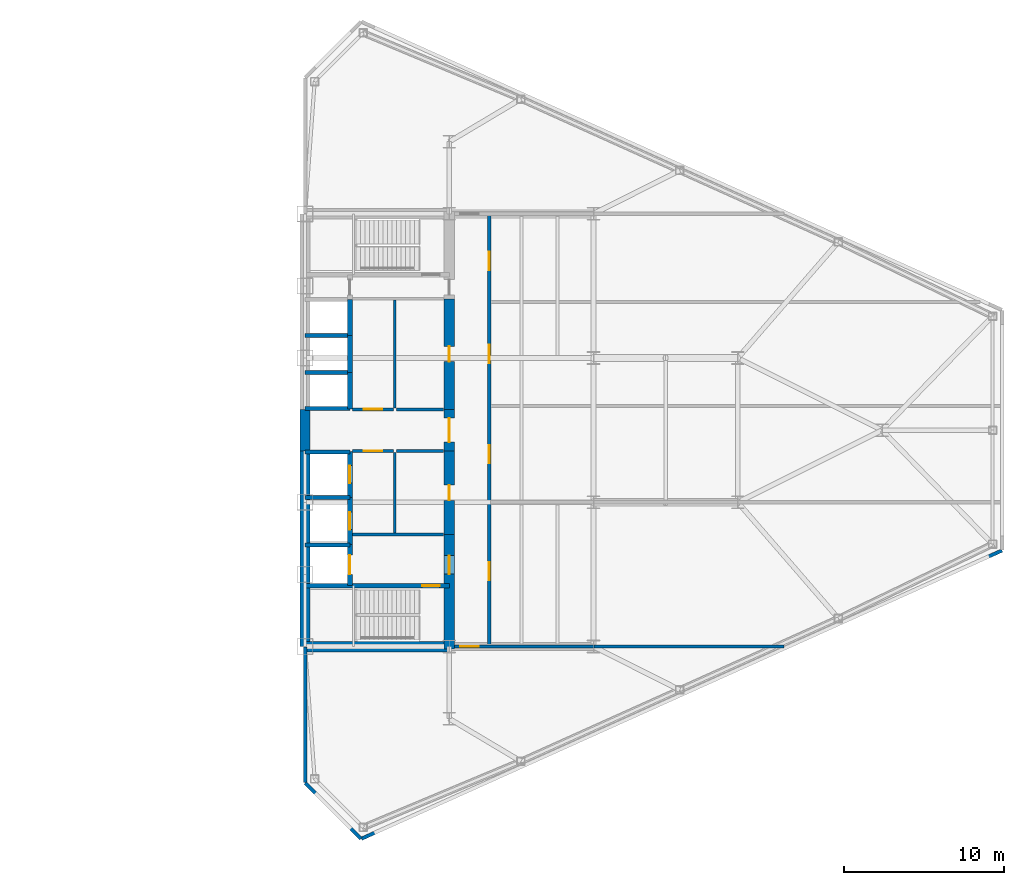
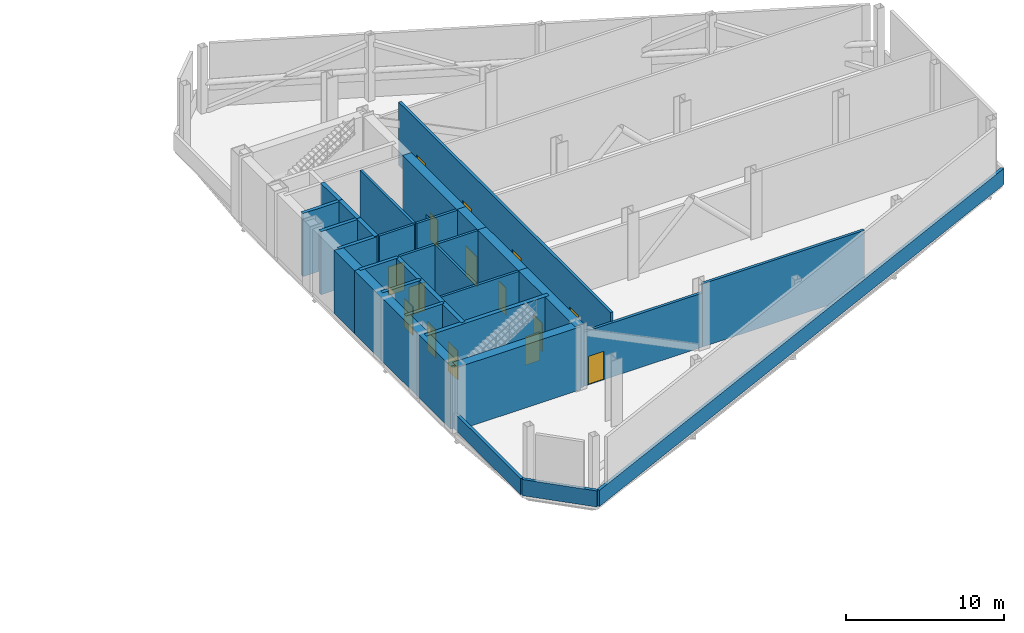
# One storey, part 8 of 11: 33 walls, 15 doors, 15 openings.
"""IFC4 building model written with IfcOpenShell, lengths in metres."""

import ifcopenshell
import ifcopenshell.guid

model = None  # the IFC model being written
_history = None  # IfcOwnerHistory: only IFC2X3 demands one
_inside = {}  # id of a spatial element -> (the spatial element, [elements in it])
_under = {}  # id of a project, library or spatial element -> (it, [spatial elements below it])
_declared = {}  # id of a project -> (the project, [libraries it declares])
_typed = {}  # id of a type object -> (the type object, [elements of that type])
_made_of = {}  # id of a material, layer set ... -> (it, [elements and type objects made of it])


def new_model(schema):
    """Start an empty IFC model of exactly this schema.

    Asked for "IFC4X3", IfcOpenShell would pick the latest addendum, in which some entities
    have other attributes; the version numbers below select the first issue.
    IFC2X3 requires an IfcOwnerHistory on every rooted entity: one is made here for all.
    """
    global model, _history
    if schema == "IFC4X3":
        model = ifcopenshell.file(schema_version=(4, 3, 0, 0))
    else:
        model = ifcopenshell.file(schema=schema)
    _inside.clear()
    _under.clear()
    _declared.clear()
    _typed.clear()
    _made_of.clear()
    _history = None
    if model.schema == "IFC2X3":
        org = make("IfcOrganization", Name="unknown")
        user = make(
            "IfcPersonAndOrganization",
            ThePerson=make("IfcPerson", FamilyName="unknown"),
            TheOrganization=org,
        )
        app = make(
            "IfcApplication",
            ApplicationDeveloper=org,
            Version="unknown",
            ApplicationFullName="unknown",
            ApplicationIdentifier="unknown",
        )
        _history = make(
            "IfcOwnerHistory",
            OwningUser=user,
            OwningApplication=app,
            ChangeAction="ADDED",
            CreationDate=0,
        )
    return model


def make(cls, **values):
    """One entity of the class cls with the attributes given. An attribute that is None is left unset."""
    return model.create_entity(
        cls, **{name: value for name, value in values.items() if value is not None}
    )


def rooted(cls, **values):
    """An entity with a GlobalId (a new one), such as an element, a storey or a relation."""
    return make(cls, GlobalId=ifcopenshell.guid.new(), OwnerHistory=_history, **values)


def si_unit(unit_type, name, prefix=None):
    """IfcSIUnit, for example si_unit("LENGTHUNIT", "METRE", prefix="MILLI")."""
    return make("IfcSIUnit", UnitType=unit_type, Prefix=prefix, Name=name)


def assignment(units):
    """IfcUnitAssignment: the units of a project."""
    return None if units is None else make("IfcUnitAssignment", Units=units)


def point(xyz):
    """IfcCartesianPoint."""
    return None if xyz is None else make("IfcCartesianPoint", Coordinates=xyz)


def direction(xyz):
    """IfcDirection."""
    return None if xyz is None else make("IfcDirection", DirectionRatios=xyz)


def frame(location, z_axis=None, x_axis=None):
    """IfcAxis2Placement3D, a coordinate frame: its origin and axes. An axis left out is left unset."""
    return make(
        "IfcAxis2Placement3D",
        Location=point(location),
        Axis=direction(z_axis),
        RefDirection=direction(x_axis),
    )


def frame_2d(location, x_axis=None):
    """IfcAxis2Placement2D, a coordinate frame in the plane: its origin and x axis."""
    return make(
        "IfcAxis2Placement2D", Location=point(location), RefDirection=direction(x_axis)
    )


def origin():
    """The frame at (0, 0, 0) with its axes left unset."""
    return frame((0.0, 0.0, 0.0))


def place(relative_to, where):
    """IfcLocalPlacement: puts the frame where relative to a parent placement (None: the world)."""
    return make(
        "IfcLocalPlacement", PlacementRelTo=relative_to, RelativePlacement=where
    )


def context(
    kind, dimensions, precision=None, world=None, true_north=None, identifier=None
):
    """IfcGeometricRepresentationContext, for example the 3D "Model" context."""
    return make(
        "IfcGeometricRepresentationContext",
        ContextIdentifier=identifier,
        ContextType=kind,
        CoordinateSpaceDimension=dimensions,
        Precision=precision,
        WorldCoordinateSystem=world,
        TrueNorth=true_north,
    )


def subcontext(parent, identifier, kind, view, scale=None):
    """IfcGeometricRepresentationSubContext, for example "Body" below "Model"."""
    return make(
        "IfcGeometricRepresentationSubContext",
        ContextIdentifier=identifier,
        ContextType=kind,
        ParentContext=parent,
        TargetScale=scale,
        TargetView=view,
    )


def project(units=None, contexts=None):
    """IfcProject with its units and contexts."""
    return rooted(
        "IfcProject",
        Name="project",
        RepresentationContexts=contexts,
        UnitsInContext=assignment(units),
    )


def spatial(cls, under=None, at=None, **own):
    """A site, building, storey or space (cls), placed at a placement, below another one or the project."""
    s = rooted(cls, ObjectPlacement=at, **own)
    if under is not None:
        _under.setdefault(under.id(), (under, []))[1].append(s)
    return s


def profile(cls, at=None, kind="AREA", **sizes):
    """A parametric profile (cls). Its sizes go by their IFC names, for example OverallWidth=200.0."""
    return make(cls, ProfileType=kind, Position=at, **sizes)


def rectangle(**sizes):
    """IfcRectangleProfileDef."""
    return profile("IfcRectangleProfileDef", **sizes)


def extrude(swept, where, along, depth):
    """IfcExtrudedAreaSolid: the profile swept, set in the frame where, extruded along a direction by depth."""
    return make(
        "IfcExtrudedAreaSolid",
        SweptArea=swept,
        Position=where,
        ExtrudedDirection=direction(along),
        Depth=depth,
    )


def shape(context_of_items, identifier, shape_type, items):
    """IfcShapeRepresentation: the items that make up one representation, for example the "Body"."""
    return make(
        "IfcShapeRepresentation",
        ContextOfItems=context_of_items,
        RepresentationIdentifier=identifier,
        RepresentationType=shape_type,
        Items=items,
    )


def source(mapping_origin, context_of_items, identifier, shape_type, items):
    """IfcRepresentationMap: a shape defined once, which mapped items show again and again."""
    return make(
        "IfcRepresentationMap",
        MappingOrigin=mapping_origin,
        MappedRepresentation=shape(context_of_items, identifier, shape_type, items),
    )


def transform(
    local_origin,
    x_axis=None,
    y_axis=None,
    z_axis=None,
    scale=None,
    scale2=None,
    scale3=None,
    uniform=True,
):
    """IfcCartesianTransformationOperator3D, or its non-uniform kind. x_axis, y_axis, z_axis: its Axis1, 2, 3."""
    if uniform:
        return make(
            "IfcCartesianTransformationOperator3D",
            Axis1=direction(x_axis),
            Axis2=direction(y_axis),
            LocalOrigin=point(local_origin),
            Scale=scale,
            Axis3=direction(z_axis),
        )
    return make(
        "IfcCartesianTransformationOperator3DnonUniform",
        Axis1=direction(x_axis),
        Axis2=direction(y_axis),
        LocalOrigin=point(local_origin),
        Scale=scale,
        Axis3=direction(z_axis),
        Scale2=scale2,
        Scale3=scale3,
    )


def mapped(mapping_source, mapping_target):
    """IfcMappedItem: shows the shape of a source again, moved by a transform."""
    return make(
        "IfcMappedItem", MappingSource=mapping_source, MappingTarget=mapping_target
    )


def material(Name=None, Category=None):
    """IfcMaterial."""
    return make("IfcMaterial", Name=Name, Category=Category)


def layer(
    of_material, thickness, ventilated=None, Name=None, Category=None, Priority=None
):
    """IfcMaterialLayer: one layer of a wall or slab, of a material (None: an air gap)."""
    return make(
        "IfcMaterialLayer",
        Material=of_material,
        LayerThickness=thickness,
        IsVentilated=ventilated,
        Name=Name,
        Category=Category,
        Priority=Priority,
    )


def layer_set(layers, Name=None):
    """IfcMaterialLayerSet."""
    return make("IfcMaterialLayerSet", MaterialLayers=layers, LayerSetName=Name)


def made_of(thing, what):
    """Note that an element or type object is made of a material, layer set ...; save() writes the relation."""
    if what is not None:
        _made_of.setdefault(what.id(), (what, []))[1].append(thing)
    return thing


def type_object(cls, material=None, **own):
    """A type object (cls), such as IfcWallType, which elements share."""
    return made_of(rooted(cls, **own), material)


def type_shapes(of_type, sources):
    """Give a type object the sources (RepresentationMaps) that its elements show as mapped items."""
    of_type.RepresentationMaps = sources


def element(
    cls,
    number,
    at=None,
    inside=None,
    cuts=None,
    type_object=None,
    material=None,
    context=None,
    identifier="Body",
    shape_type=None,
    held_by="IfcProductDefinitionShape",
    body=None,
    shapes=None,
    **own,
):
    """One element of the class cls, such as IfcWall. Its Tag is "e" and its number.

    at: its placement. inside: the storey or other place that contains it. cuts: it is an
    opening in that element (IfcRelVoidsElement). A single representation is given by context,
    identifier, shape_type and body (its items); several are given by shapes. held_by: the class
    of the entity that holds the representations. save() writes the other relations.
    """
    e = rooted(cls, Tag="e%d" % number, ObjectPlacement=at, **own)
    if body is not None:
        shapes = [shape(context, identifier, shape_type, body)]
    if shapes is not None:
        e.Representation = make(held_by, Representations=shapes)
    if inside is not None:
        _inside.setdefault(inside.id(), (inside, []))[1].append(e)
    if cuts is not None:
        rooted(
            "IfcRelVoidsElement", RelatingBuildingElement=cuts, RelatedOpeningElement=e
        )
    if type_object is not None:
        _typed.setdefault(type_object.id(), (type_object, []))[1].append(e)
    return made_of(e, material)


def fill(opening, filler):
    """IfcRelFillsElement: the door or window that sits in an opening."""
    return rooted(
        "IfcRelFillsElement",
        RelatingOpeningElement=opening,
        RelatedBuildingElement=filler,
    )


def aggregate(whole, parts):
    """IfcRelAggregates: a whole, such as a stair, and the parts it consists of."""
    return rooted("IfcRelAggregates", RelatingObject=whole, RelatedObjects=parts)


def save(model, path):
    """Write the relations noted so far, then the file.

    IfcRelAggregates (storeys below a building ...), IfcRelContainedInSpatialStructure (elements
    in a storey), IfcRelDefinesByType, IfcRelAssociatesMaterial and IfcRelDeclares: one each for
    every whole, place, type object, material and project.
    """
    for whole, parts in _under.values():
        aggregate(whole, parts)
    for where, things in _inside.values():
        rooted(
            "IfcRelContainedInSpatialStructure",
            RelatedElements=things,
            RelatingStructure=where,
        )
    for kind, things in _typed.values():
        rooted("IfcRelDefinesByType", RelatedObjects=things, RelatingType=kind)
    for what, things in _made_of.values():
        rooted("IfcRelAssociatesMaterial", RelatedObjects=things, RelatingMaterial=what)
    for by, libraries in _declared.values():
        rooted("IfcRelDeclares", RelatingContext=by, RelatedDefinitions=libraries)
    model.write(path)


model = new_model("IFC4")

# Units and contexts
model_context = context("Model", 3, precision=1e-05, world=origin(), true_north=direction((0.0, 1.0)))
body_context = subcontext(model_context, "Body", "Model", "MODEL_VIEW")
ifc_project = project(units=[si_unit("LENGTHUNIT", "METRE"), si_unit("AREAUNIT", "SQUARE_METRE"), si_unit("VOLUMEUNIT", "CUBIC_METRE"), si_unit("PLANEANGLEUNIT", "RADIAN"), si_unit("MASSUNIT", "GRAM", prefix="KILO")], contexts=[model_context])

# Site, building, storey
site_placement = place(None, origin())
site = spatial("IfcSite", under=ifc_project, at=site_placement, CompositionType="ELEMENT")
building_placement = place(site_placement, origin())
building = spatial("IfcBuilding", under=site, at=building_placement, Name="Seokmaru Belvedere", CompositionType="ELEMENT")
storey_placement = place(building_placement, frame((0.0, 0.0, 87.300048828125)))
storey = spatial("IfcBuildingStorey", under=building, at=storey_placement, Name="L23", CompositionType="ELEMENT", Elevation=87.300048828125)

# Walls
ifc_material_1 = material(Name="Fire-Rated Gypsum Shaftwall")
ifc_layer_1 = layer(ifc_material_1, 0.179931640625)
ifc_layer_set_1 = layer_set([ifc_layer_1], Name="Fire-Rated Gypsum Shaftwall")
wall_type_1 = type_object("IfcWallType", Name="Core Service Fire Partition 180", PredefinedType="PARTITIONING", material=ifc_layer_set_1)
wall_1_placement = place(storey_placement, frame((30.449951171875, -6.5, 0.0), z_axis=(0.0, 0.0, 1.0), x_axis=(1.0, 0.0, 0.0)))
element("IfcWall", 1, at=wall_1_placement, inside=storey, type_object=wall_type_1, Name="L23 East Firefighting Lobby Partition", PredefinedType="PARTITIONING", context=body_context, shape_type="SweptSolid", body=[
    extrude(rectangle(XDim=5.699951171875, YDim=0.179931640625, at=frame_2d((2.85009765625, 0.0))), origin(), (0.0, 0.0, 1.0), 4.8798828125),
])
wall_2_placement = place(storey_placement, frame((33.10009765625, -6.419921875, 0.0), z_axis=(0.0, 0.0, 1.0), x_axis=(0.0, 1.0, 0.0)))
element("IfcWall", 2, at=wall_2_placement, inside=storey, type_object=wall_type_1, Name="L23 East South Core Service Back Wall", PredefinedType="PARTITIONING", context=body_context, shape_type="SweptSolid", body=[
    extrude(rectangle(XDim=5.0400390625, YDim=0.179931640625, at=frame_2d((2.52001953125, 0.0))), origin(), (0.0, 0.0, 1.0), 4.8798828125),
])
wall_3_placement = place(storey_placement, frame((33.10009765625, 1.3798828125, 0.0), z_axis=(0.0, 0.0, 1.0), x_axis=(0.0, 1.0, 0.0)))
element("IfcWall", 3, at=wall_3_placement, inside=storey, type_object=wall_type_1, Name="L23 East North Core Service Back Wall", PredefinedType="PARTITIONING", context=body_context, shape_type="SweptSolid", body=[
    extrude(rectangle(XDim=6.740234375, YDim=0.179931640625, at=frame_2d((3.3701171875, 0.0))), origin(), (0.0, 0.0, 1.0), 4.8798828125),
])

# Wall, opening, door
wall_4_placement = place(storey_placement, frame((30.449951171875, -1.300048828125, 0.0), z_axis=(0.0, 0.0, 1.0), x_axis=(1.0, 0.0, 0.0)))
wall_4 = element("IfcWall", 4, at=wall_4_placement, inside=storey, type_object=wall_type_1, Name="L23 East South Lift Lobby Foyer Wall", PredefinedType="PARTITIONING", context=body_context, shape_type="SweptSolid", body=[
    extrude(rectangle(XDim=2.570068359375, YDim=0.179931640625, at=frame_2d((1.28515625, 0.0))), origin(), (0.0, 0.0, 1.0), 4.8798828125),
])
opening_1_placement = place(wall_4_placement, frame((0.7099609375, 0.0, 0.0)))
opening_1 = element("IfcOpeningElement", 5, at=opening_1_placement, cuts=wall_4, Name="Opening D02", PredefinedType="OPENING", context=body_context, shape_type="SweptSolid", body=[
    extrude(rectangle(XDim=1.14990234375, YDim=2.199951171875, at=frame_2d((0.574951171875, 1.10009765625))), frame((0.0, 0.10009765625, 0.0), z_axis=(0.0, -1.0, 0.0), x_axis=(1.0, 0.0, 0.0)), (0.0, 0.0, 1.0), 0.199951171875),
])
ifc_material_2 = material(Name="Fire-Rated Steel Leaf", Category="steel")
door_type_1 = type_object("IfcDoorType", Name="Lobby and Vestibule Fire Door 1150x2200", OperationType="NOTDEFINED", PredefinedType="DOOR", material=ifc_material_2)
shared_shape_1 = source(origin(), body_context, "Body", "SweptSolid", [
    extrude(rectangle(XDim=1.14990234375, YDim=2.199951171875, at=frame_2d((0.574951171875, 1.10009765625))), frame((0.0, 0.02490234375, 0.0), z_axis=(0.0, -1.0, 0.0), x_axis=(1.0, 0.0, 0.0)), (0.0, 0.0, 1.0), 0.050048828125),
])
type_shapes(door_type_1, [shared_shape_1])
door_1_placement = place(opening_1_placement, origin())
door_1 = element("IfcDoor", 6, at=door_1_placement, inside=storey, type_object=door_type_1, Name="L23 East South Core Foyer Door", OperationType="SINGLE_SWING_RIGHT", OverallHeight=2.199951171875, OverallWidth=1.14990234375, PredefinedType="DOOR", context=body_context, shape_type="MappedRepresentation", body=[
    mapped(shared_shape_1, transform((0.0, 0.0, 0.0), scale=1.0)),
])
fill(opening_1, door_1)

wall_5_placement = place(storey_placement, frame((30.449951171875, 1.300048828125, 0.0), z_axis=(0.0, 0.0, 1.0), x_axis=(1.0, 0.0, 0.0)))
wall_5 = element("IfcWall", 7, at=wall_5_placement, inside=storey, type_object=wall_type_1, Name="L23 East North Lift Lobby Foyer Wall", PredefinedType="PARTITIONING", context=body_context, shape_type="SweptSolid", body=[
    extrude(rectangle(XDim=2.570068359375, YDim=0.179931640625, at=frame_2d((1.28515625, 0.0))), origin(), (0.0, 0.0, 1.0), 4.8798828125),
])
opening_2_placement = place(wall_5_placement, frame((0.7099609375, 0.0, 0.0)))
opening_2 = element("IfcOpeningElement", 8, at=opening_2_placement, cuts=wall_5, Name="Opening D02", PredefinedType="OPENING", context=body_context, shape_type="SweptSolid", body=[
    extrude(rectangle(XDim=1.14990234375, YDim=2.199951171875, at=frame_2d((0.574951171875, 1.10009765625))), frame((0.0, 0.10009765625, 0.0), z_axis=(0.0, -1.0, 0.0), x_axis=(1.0, 0.0, 0.0)), (0.0, 0.0, 1.0), 0.199951171875),
])
door_2_placement = place(opening_2_placement, origin())
door_2 = element("IfcDoor", 9, at=door_2_placement, inside=storey, type_object=door_type_1, Name="L23 East North Lift Lobby Door", OperationType="SINGLE_SWING_LEFT", OverallHeight=2.199951171875, OverallWidth=1.14990234375, PredefinedType="DOOR", context=body_context, shape_type="MappedRepresentation", body=[
    mapped(shared_shape_1, transform((0.0, 0.0, 0.0), scale=1.0)),
])
fill(opening_2, door_2)

# Walls
for number, where, z_axis, x_axis, name in (
    (10, (33.199951171875, -1.300048828125, 0.0), (0.0, 0.0, 1.0), (1.0, 0.0, 0.0), "L23 East Foyer Side Wall S"),
    (11, (33.199951171875, 1.300048828125, 0.0), (0.0, 0.0, 1.0), (1.0, 0.0, 0.0), "L23 East Foyer Side Wall N"),
):
    element("IfcWall", number, at=place(storey_placement, frame(where, z_axis=z_axis, x_axis=x_axis)), inside=storey, type_object=wall_type_1, Name=name, PredefinedType="PARTITIONING", context=body_context, shape_type="SweptSolid", body=[
        extrude(rectangle(XDim=2.949951171875, YDim=0.179931640625, at=frame_2d((1.47509765625, 0.0))), origin(), (0.0, 0.0, 1.0), 4.8798828125),
    ])
ifc_material_3 = material(Name="Concrete C50 (50 MPa)", Category="concrete")
ifc_layer_2 = layer(ifc_material_3, 0.25)
ifc_layer_set_2 = layer_set([ifc_layer_2], Name="Concrete C50 (50 MPa)")
wall_type_2 = type_object("IfcWallType", Name="Hoistway Transverse Concrete Divider Wall 250", PredefinedType="SHEAR", material=ifc_layer_set_2)
for number, where, z_axis, x_axis, name in (
    (12, (27.5, -7.14990234375, 0.0), (0.0, 0.0, 1.0), (1.0, 0.0, 0.0), "L23 East Hoistway Divider Core Wall 1"),
    (13, (27.5, -4.199951171875, 0.0), (0.0, 0.0, 1.0), (1.0, 0.0, 0.0), "L23 East Hoistway Divider Core Wall 2"),
    (14, (27.5, -1.35009765625, 0.0), (0.0, 0.0, 1.0), (1.0, 0.0, 0.0), "L23 East Hoistway Divider Core Wall 3"),
    (15, (27.5, 1.35009765625, 0.0), (0.0, 0.0, 1.0), (1.0, 0.0, 0.0), "L23 East Hoistway Divider Core Wall 4"),
    (16, (27.5, 3.60009765625, 0.0), (0.0, 0.0, 1.0), (1.0, 0.0, 0.0), "L23 East Hoistway Divider Core Wall 5"),
    (17, (27.5, 5.89990234375, 0.0), (0.0, 0.0, 1.0), (1.0, 0.0, 0.0), "L23 East Hoistway Divider Core Wall 6"),
):
    element("IfcWall", number, at=place(storey_placement, frame(where, z_axis=z_axis, x_axis=x_axis)), inside=storey, type_object=wall_type_2, Name=name, PredefinedType="SHEAR", context=body_context, shape_type="SweptSolid", body=[
        extrude(rectangle(XDim=2.800048828125, YDim=0.25, at=frame_2d((1.39990234375, 0.0))), origin(), (0.0, 0.0, 1.0), 4.8798828125),
    ])

# Wall, opening, door
ifc_layer_3 = layer(ifc_material_1, 0.199951171875)
ifc_layer_set_3 = layer_set([ifc_layer_3], Name="Fire-Rated Gypsum Shaftwall")
wall_type_3 = type_object("IfcWallType", Name="Inter-Tenancy Fire Compartment Partition 200", PredefinedType="PARTITIONING", material=ifc_layer_set_3)
wall_6_placement = place(storey_placement, frame((36.830078125, -13.5, 0.0), z_axis=(0.0, 0.0, 1.0), x_axis=(1.0, 0.0, 0.0)))
wall_6 = element("IfcWall", 18, at=wall_6_placement, inside=storey, type_object=wall_type_3, Name="L23 Interior Partition 002", PredefinedType="PARTITIONING", context=body_context, shape_type="SweptSolid", body=[
    extrude(rectangle(XDim=8.68994140625, YDim=0.199951171875, at=frame_2d((4.344970703125, 0.0))), origin(), (0.0, 0.0, 1.0), 4.179931640625),
])
opening_3_placement = place(wall_6_placement, frame((0.344970703125, 0.0, 0.0)))
opening_3 = element("IfcOpeningElement", 19, at=opening_3_placement, cuts=wall_6, Name="Opening D02", PredefinedType="OPENING", context=body_context, shape_type="SweptSolid", body=[
    extrude(rectangle(XDim=1.14990234375, YDim=2.199951171875, at=frame_2d((0.574951171875, 1.10009765625))), frame((0.0, 0.10986328125, 0.0), z_axis=(0.0, -1.0, 0.0), x_axis=(1.0, 0.0, 0.0)), (0.0, 0.0, 1.0), 0.219970703125),
])
door_3_placement = place(opening_3_placement, origin())
door_3 = element("IfcDoor", 20, at=door_3_placement, inside=storey, type_object=door_type_1, Name="L23 Interior Door 007", OperationType="SINGLE_SWING_RIGHT", OverallHeight=2.199951171875, OverallWidth=1.14990234375, PredefinedType="DOOR", context=body_context, shape_type="MappedRepresentation", body=[
    mapped(shared_shape_1, transform((0.0, 0.0, 0.0), scale=1.0)),
])
fill(opening_3, door_3)

# Wall
wall_7_placement = place(storey_placement, frame((45.52001953125, -13.5, 0.0), z_axis=(0.0, 0.0, 1.0), x_axis=(1.0, 0.0, 0.0)))
element("IfcWall", 21, at=wall_7_placement, inside=storey, type_object=wall_type_3, Name="L23 Interior Partition 002 Part 2", PredefinedType="PARTITIONING", context=body_context, shape_type="SweptSolid", body=[
    extrude(rectangle(XDim=11.866455078125, YDim=0.199951171875, at=frame_2d((5.93310546875, 0.0))), origin(), (0.0, 0.0, 1.0), 4.8798828125),
])

# Wall, openings, doors
wall_8_placement = place(storey_placement, frame((39.0, -13.4150390625, 0.0), z_axis=(0.0, 0.0, 1.0), x_axis=(0.0, 1.0, 0.0)))
wall_8 = element("IfcWall", 22, at=wall_8_placement, inside=storey, type_object=wall_type_3, Name="L23 Interior Partition 012", PredefinedType="PARTITIONING", context=body_context, shape_type="SweptSolid", body=[
    extrude(rectangle(XDim=26.830078125, YDim=0.199951171875, at=frame_2d((13.4150390625, 0.0))), origin(), (0.0, 0.0, 1.0), 4.8798828125),
])
opening_4_placement = place(wall_8_placement, frame((4.0400390625, 0.0, 0.0)))
opening_4 = element("IfcOpeningElement", 23, at=opening_4_placement, cuts=wall_8, Name="Opening D02", PredefinedType="OPENING", context=body_context, shape_type="SweptSolid", body=[
    extrude(rectangle(XDim=1.14990234375, YDim=2.199951171875, at=frame_2d((0.574951171875, 1.10009765625))), frame((0.0, 0.10986328125, 0.0), z_axis=(0.0, -1.0, 0.0), x_axis=(1.0, 0.0, 0.0)), (0.0, 0.0, 1.0), 0.219970703125),
])
opening_5_placement = place(wall_8_placement, frame((11.340087890625, 0.0, 0.0)))
opening_5 = element("IfcOpeningElement", 24, at=opening_5_placement, cuts=wall_8, Name="Opening D02", PredefinedType="OPENING", context=body_context, shape_type="SweptSolid", body=[
    extrude(rectangle(XDim=1.14990234375, YDim=2.199951171875, at=frame_2d((0.574951171875, 1.10009765625))), frame((0.0, 0.10986328125, 0.0), z_axis=(0.0, -1.0, 0.0), x_axis=(1.0, 0.0, 0.0)), (0.0, 0.0, 1.0), 0.219970703125),
])
opening_6_placement = place(wall_8_placement, frame((17.590087890625, 0.0, 0.0)))
opening_6 = element("IfcOpeningElement", 25, at=opening_6_placement, cuts=wall_8, Name="Opening D02", PredefinedType="OPENING", context=body_context, shape_type="SweptSolid", body=[
    extrude(rectangle(XDim=1.14990234375, YDim=2.199951171875, at=frame_2d((0.574951171875, 1.10009765625))), frame((0.0, 0.10986328125, 0.0), z_axis=(0.0, -1.0, 0.0), x_axis=(1.0, 0.0, 0.0)), (0.0, 0.0, 1.0), 0.219970703125),
])
opening_7_placement = place(wall_8_placement, frame((23.389892578125, 0.0, 0.0)))
opening_7 = element("IfcOpeningElement", 26, at=opening_7_placement, cuts=wall_8, Name="Opening D02", PredefinedType="OPENING", context=body_context, shape_type="SweptSolid", body=[
    extrude(rectangle(XDim=1.14990234375, YDim=2.199951171875, at=frame_2d((0.574951171875, 1.10009765625))), frame((0.0, 0.10986328125, 0.0), z_axis=(0.0, -1.0, 0.0), x_axis=(1.0, 0.0, 0.0)), (0.0, 0.0, 1.0), 0.219970703125),
])
door_4_placement = place(opening_4_placement, origin())
door_4 = element("IfcDoor", 27, at=door_4_placement, inside=storey, type_object=door_type_1, Name="L23 Interior Door 009", OperationType="SINGLE_SWING_RIGHT", OverallHeight=2.199951171875, OverallWidth=1.14990234375, PredefinedType="DOOR", context=body_context, shape_type="MappedRepresentation", body=[
    mapped(shared_shape_1, transform((0.0, 0.0, 0.0), scale=1.0)),
])
fill(opening_4, door_4)
door_5_placement = place(opening_5_placement, origin())
door_5 = element("IfcDoor", 28, at=door_5_placement, inside=storey, type_object=door_type_1, Name="L23 Interior Door 010", OperationType="SINGLE_SWING_LEFT", OverallHeight=2.199951171875, OverallWidth=1.14990234375, PredefinedType="DOOR", context=body_context, shape_type="MappedRepresentation", body=[
    mapped(shared_shape_1, transform((0.0, 0.0, 0.0), scale=1.0)),
])
fill(opening_5, door_5)
door_6_placement = place(opening_6_placement, origin())
door_6 = element("IfcDoor", 29, at=door_6_placement, inside=storey, type_object=door_type_1, Name="L23 Interior Door 011", OperationType="SINGLE_SWING_RIGHT", OverallHeight=2.199951171875, OverallWidth=1.14990234375, PredefinedType="DOOR", context=body_context, shape_type="MappedRepresentation", body=[
    mapped(shared_shape_1, transform((0.0, 0.0, 0.0), scale=1.0)),
])
fill(opening_6, door_6)
door_7_placement = place(opening_7_placement, origin())
door_7 = element("IfcDoor", 30, at=door_7_placement, inside=storey, type_object=door_type_1, Name="L23 Interior Door 012", OperationType="SINGLE_SWING_LEFT", OverallHeight=2.199951171875, OverallWidth=1.14990234375, PredefinedType="DOOR", context=body_context, shape_type="MappedRepresentation", body=[
    mapped(shared_shape_1, transform((0.0, 0.0, 0.0), scale=1.0)),
])
fill(opening_7, door_7)

# Wall, opening, door
ifc_layer_4 = layer(ifc_material_3, 0.300048828125)
ifc_layer_set_4 = layer_set([ifc_layer_4], Name="Concrete C50 (50 MPa)")
wall_type_4 = type_object("IfcWallType", Name="Internal Core Stair and Hoistway Wall 300", PredefinedType="SHEAR", material=ifc_layer_set_4)
wall_9_placement = place(storey_placement, frame((27.5, -9.699951171875, 0.0), z_axis=(0.0, 0.0, 1.0), x_axis=(1.0, 0.0, 0.0)))
wall_9 = element("IfcWall", 31, at=wall_9_placement, inside=storey, type_object=wall_type_4, Name="L23 East Stair ST-1 Enclosure Wall", PredefinedType="SHEAR", context=body_context, shape_type="SweptSolid", body=[
    extrude(rectangle(XDim=9.0, YDim=0.300048828125, at=frame_2d((4.5, 0.0))), origin(), (0.0, 0.0, 1.0), 4.8798828125),
])
opening_8_placement = place(wall_9_placement, frame((7.300048828125, 0.0, 0.0)))
opening_8 = element("IfcOpeningElement", 32, at=opening_8_placement, cuts=wall_9, Name="Opening D01", PredefinedType="OPENING", context=body_context, shape_type="SweptSolid", body=[
    extrude(rectangle(XDim=1.10009765625, YDim=2.199951171875, at=frame_2d((0.550048828125, 1.10009765625))), frame((0.0, 0.16015625, 0.0), z_axis=(0.0, -1.0, 0.0), x_axis=(1.0, 0.0, 0.0)), (0.0, 0.0, 1.0), 0.320068359375),
])
door_type_2 = type_object("IfcDoorType", Name="Special Escape Stair Smokeproof Fire Door 1100x2200", OperationType="NOTDEFINED", PredefinedType="DOOR", material=ifc_material_2)
shared_shape_2 = source(origin(), body_context, "Body", "SweptSolid", [
    extrude(rectangle(XDim=1.10009765625, YDim=2.199951171875, at=frame_2d((0.550048828125, 1.10009765625))), frame((0.0, 0.02490234375, 0.0), z_axis=(0.0, -1.0, 0.0), x_axis=(1.0, 0.0, 0.0)), (0.0, 0.0, 1.0), 0.050048828125),
])
type_shapes(door_type_2, [shared_shape_2])
door_8_placement = place(opening_8_placement, frame((1.10009765625, 0.0, 0.0), z_axis=(0.0, 0.0, 1.0), x_axis=(-1.0, 0.0, 0.0)))
door_8 = element("IfcDoor", 33, at=door_8_placement, inside=storey, type_object=door_type_2, Name="L23 East Special Escape Stair ST-1 Door", OperationType="SINGLE_SWING_RIGHT", OverallHeight=2.199951171875, OverallWidth=1.10009765625, PredefinedType="DOOR", context=body_context, shape_type="MappedRepresentation", body=[
    mapped(shared_shape_2, transform((0.0, 0.0, 0.0), scale=1.0)),
])
fill(opening_8, door_8)

wall_10_placement = place(storey_placement, frame((30.300048828125, -9.679931640625, 0.0), z_axis=(0.0, 0.0, 1.0), x_axis=(0.0, 1.0, 0.0)))
wall_10 = element("IfcWall", 34, at=wall_10_placement, inside=storey, type_object=wall_type_4, Name="L23 East Firefighting Lift Shaft Front Wall", PredefinedType="SHEAR", context=body_context, shape_type="SweptSolid", body=[
    extrude(rectangle(XDim=2.559814453125, YDim=0.300048828125, at=frame_2d((1.27978515625, 0.0))), origin(), (0.0, 0.0, 1.0), 4.8798828125),
])
opening_9_placement = place(wall_10_placement, frame((0.679931640625, 0.0, 0.0)))
opening_9 = element("IfcOpeningElement", 35, at=opening_9_placement, cuts=wall_10, Name="Opening LD2", PredefinedType="OPENING", context=body_context, shape_type="SweptSolid", body=[
    extrude(rectangle(XDim=1.199951171875, YDim=2.25, at=frame_2d((0.60009765625, 1.125))), frame((0.0, 0.16015625, 0.0), z_axis=(0.0, -1.0, 0.0), x_axis=(1.0, 0.0, 0.0)), (0.0, 0.0, 1.0), 0.320068359375),
])
ifc_material_4 = material(Name="Stainless Steel 316", Category="steel")
door_type_3 = type_object("IfcDoorType", Name="Firefighting Lift Sliding Landing Door 1200x2250", OperationType="DOUBLE_DOOR_SLIDING", PredefinedType="DOOR", material=ifc_material_4)
shared_shape_3 = source(origin(), body_context, "Body", "SweptSolid", [
    extrude(rectangle(XDim=1.199951171875, YDim=2.25, at=frame_2d((0.60009765625, 1.125))), frame((0.0, 0.02490234375, 0.0), z_axis=(0.0, -1.0, 0.0), x_axis=(1.0, 0.0, 0.0)), (0.0, 0.0, 1.0), 0.050048828125),
])
type_shapes(door_type_3, [shared_shape_3])
door_9_placement = place(opening_9_placement, origin())
door_9 = element("IfcDoor", 36, at=door_9_placement, inside=storey, type_object=door_type_3, Name="L23 East Firefighting Lift Landing Door", OperationType="DOUBLE_DOOR_SLIDING", OverallHeight=2.25, OverallWidth=1.199951171875, PredefinedType="DOOR", context=body_context, shape_type="MappedRepresentation", body=[
    mapped(shared_shape_3, transform((0.0, 0.0, 0.0), scale=1.0)),
])
fill(opening_9, door_9)

wall_11_placement = place(storey_placement, frame((30.300048828125, -7.1201171875, 0.0), z_axis=(0.0, 0.0, 1.0), x_axis=(0.0, 1.0, 0.0)))
wall_11 = element("IfcWall", 37, at=wall_11_placement, inside=storey, type_object=wall_type_4, Name="L23 East Low-Rise Lift PL-1 Front Wall", PredefinedType="SHEAR", context=body_context, shape_type="SweptSolid", body=[
    extrude(rectangle(XDim=2.920166015625, YDim=0.300048828125, at=frame_2d((1.4599609375, 0.0))), origin(), (0.0, 0.0, 1.0), 4.8798828125),
])
opening_10_placement = place(wall_11_placement, frame((0.909912109375, 0.0, 0.0)))
opening_10 = element("IfcOpeningElement", 38, at=opening_10_placement, cuts=wall_11, Name="Opening LD1", PredefinedType="OPENING", context=body_context, shape_type="SweptSolid", body=[
    extrude(rectangle(XDim=1.10009765625, YDim=2.199951171875, at=frame_2d((0.550048828125, 1.10009765625))), frame((0.0, 0.16015625, 0.0), z_axis=(0.0, -1.0, 0.0), x_axis=(1.0, 0.0, 0.0)), (0.0, 0.0, 1.0), 0.320068359375),
])
door_type_4 = type_object("IfcDoorType", Name="Passenger Lift Sliding Landing Door 1100x2200", OperationType="DOUBLE_DOOR_SLIDING", PredefinedType="DOOR", material=ifc_material_4)
shared_shape_4 = source(origin(), body_context, "Body", "SweptSolid", [
    extrude(rectangle(XDim=1.10009765625, YDim=2.199951171875, at=frame_2d((0.550048828125, 1.10009765625))), frame((0.0, 0.02490234375, 0.0), z_axis=(0.0, -1.0, 0.0), x_axis=(1.0, 0.0, 0.0)), (0.0, 0.0, 1.0), 0.050048828125),
])
type_shapes(door_type_4, [shared_shape_4])
door_10_placement = place(opening_10_placement, origin())
door_10 = element("IfcDoor", 39, at=door_10_placement, inside=storey, type_object=door_type_4, Name="L23 East Low-Rise Lift PL-1 Landing Door", OperationType="DOUBLE_DOOR_SLIDING", OverallHeight=2.199951171875, OverallWidth=1.10009765625, PredefinedType="DOOR", context=body_context, shape_type="MappedRepresentation", body=[
    mapped(shared_shape_4, transform((0.0, 0.0, 0.0), scale=1.0)),
])
fill(opening_10, door_10)

wall_12_placement = place(storey_placement, frame((30.300048828125, -4.199951171875, 0.0), z_axis=(0.0, 0.0, 1.0), x_axis=(0.0, 1.0, 0.0)))
wall_12 = element("IfcWall", 40, at=wall_12_placement, inside=storey, type_object=wall_type_4, Name="L23 East Low-Rise Lift PL-2 Front Wall", PredefinedType="SHEAR", context=body_context, shape_type="SweptSolid", body=[
    extrude(rectangle(XDim=2.8798828125, YDim=0.300048828125, at=frame_2d((1.43994140625, 0.0))), origin(), (0.0, 0.0, 1.0), 4.8798828125),
])
opening_11_placement = place(wall_12_placement, frame((0.889892578125, 0.0, 0.0)))
opening_11 = element("IfcOpeningElement", 41, at=opening_11_placement, cuts=wall_12, Name="Opening LD1", PredefinedType="OPENING", context=body_context, shape_type="SweptSolid", body=[
    extrude(rectangle(XDim=1.10009765625, YDim=2.199951171875, at=frame_2d((0.550048828125, 1.10009765625))), frame((0.0, 0.16015625, 0.0), z_axis=(0.0, -1.0, 0.0), x_axis=(1.0, 0.0, 0.0)), (0.0, 0.0, 1.0), 0.320068359375),
])
door_11_placement = place(opening_11_placement, origin())
door_11 = element("IfcDoor", 42, at=door_11_placement, inside=storey, type_object=door_type_4, Name="L23 East Low-Rise Lift PL-2 Landing Door", OperationType="DOUBLE_DOOR_SLIDING", OverallHeight=2.199951171875, OverallWidth=1.10009765625, PredefinedType="DOOR", context=body_context, shape_type="MappedRepresentation", body=[
    mapped(shared_shape_4, transform((0.0, 0.0, 0.0), scale=1.0)),
])
fill(opening_11, door_11)

# Walls
wall_13_placement = place(storey_placement, frame((30.300048828125, 1.320068359375, 0.0), z_axis=(0.0, 0.0, 1.0), x_axis=(0.0, 1.0, 0.0)))
element("IfcWall", 43, at=wall_13_placement, inside=storey, type_object=wall_type_4, Name="L23 East North Hoistway Wall PH1", PredefinedType="SHEAR", context=body_context, shape_type="SweptSolid", body=[
    extrude(rectangle(XDim=2.280029296875, YDim=0.300048828125, at=frame_2d((1.14013671875, 0.0))), origin(), (0.0, 0.0, 1.0), 4.8798828125),
])
wall_14_placement = place(storey_placement, frame((30.300048828125, 3.60009765625, 0.0), z_axis=(0.0, 0.0, 1.0), x_axis=(0.0, 1.0, 0.0)))
element("IfcWall", 44, at=wall_14_placement, inside=storey, type_object=wall_type_4, Name="L23 East North Hoistway Wall PH2", PredefinedType="SHEAR", context=body_context, shape_type="SweptSolid", body=[
    extrude(rectangle(XDim=2.2998046875, YDim=0.300048828125, at=frame_2d((1.14990234375, 0.0))), origin(), (0.0, 0.0, 1.0), 4.8798828125),
])
wall_15_placement = place(storey_placement, frame((30.300048828125, 5.89990234375, 0.0), z_axis=(0.0, 0.0, 1.0), x_axis=(0.0, 1.0, 0.0)))
element("IfcWall", 45, at=wall_15_placement, inside=storey, type_object=wall_type_4, Name="L23 East North Hoistway Wall OBS", PredefinedType="SHEAR", context=body_context, shape_type="SweptSolid", body=[
    extrude(rectangle(XDim=2.25, YDim=0.300048828125, at=frame_2d((1.125, 0.0))), origin(), (0.0, 0.0, 1.0), 4.8798828125),
])
ifc_material_5 = material(Name="Concrete C60 (60 MPa)", Category="concrete")
ifc_layer_5 = layer(ifc_material_5, 0.64990234375)
ifc_layer_set_5 = layer_set([ifc_layer_5], Name="Concrete C60 (60 MPa)")
wall_type_5 = type_object("IfcWallType", Name="Mid-Low Reinforced Concrete Core Wall 650", PredefinedType="SHEAR", material=ifc_layer_set_5)
wall_16_placement = place(storey_placement, frame((27.5, -13.5, 0.0), z_axis=(0.0, 0.0, 1.0), x_axis=(0.0, 1.0, 0.0)))
element("IfcWall", 46, at=wall_16_placement, inside=storey, type_object=wall_type_5, Name="L23 East Portal Spine Core Wall South", PredefinedType="SHEAR", context=body_context, shape_type="SweptSolid", body=[
    extrude(rectangle(XDim=12.199951171875, YDim=0.64990234375, at=frame_2d((6.10009765625, 0.0))), origin(), (0.0, 0.0, 1.0), 4.8798828125),
])
wall_17_placement = place(storey_placement, frame((27.5, -1.300048828125, 0.0), z_axis=(0.0, 0.0, 1.0), x_axis=(0.0, 1.0, 0.0)))
element("IfcWall", 47, at=wall_17_placement, inside=storey, type_object=wall_type_5, Name="L23 East Portal Spine Core Wall Center", PredefinedType="SHEAR", context=body_context, shape_type="SweptSolid", body=[
    extrude(rectangle(XDim=2.60009765625, YDim=0.64990234375, at=frame_2d((1.300048828125, 0.0))), origin(), (0.0, 0.0, 1.0), 4.8798828125),
])
wall_18_placement = place(storey_placement, frame((27.5, -13.5, 0.0), z_axis=(0.0, 0.0, 1.0), x_axis=(1.0, 0.0, 0.0)))
element("IfcWall", 48, at=wall_18_placement, inside=storey, type_object=wall_type_5, Name="L23 East South Core Wall", PredefinedType="SHEAR", context=body_context, shape_type="SweptSolid", body=[
    extrude(rectangle(XDim=9.0, YDim=0.64990234375, at=frame_2d((4.5, 0.0))), origin(), (0.0, 0.0, 1.0), 4.8798828125),
])

# Wall, opening, door
wall_19_placement = place(storey_placement, frame((36.5, -13.64990234375, 0.0), z_axis=(0.0, 0.0, 1.0), x_axis=(0.0, 1.0, 0.0)))
wall_19 = element("IfcWall", 49, at=wall_19_placement, inside=storey, type_object=wall_type_5, Name="L23 East West Core Wall FF", PredefinedType="SHEAR", context=body_context, shape_type="SweptSolid", body=[
    extrude(rectangle(XDim=7.14990234375, YDim=0.64990234375, at=frame_2d((3.574951171875, 0.0))), origin(), (0.0, 0.0, 1.0), 4.8798828125),
])
opening_12_placement = place(wall_19_placement, frame((4.675048828125, 0.0, 0.0)))
opening_12 = element("IfcOpeningElement", 50, at=opening_12_placement, cuts=wall_19, Name="Opening D02", PredefinedType="OPENING", context=body_context, shape_type="SweptSolid", body=[
    extrude(rectangle(XDim=1.14990234375, YDim=2.199951171875, at=frame_2d((0.574951171875, 1.10009765625))), frame((0.0, 0.3349609375, 0.0), z_axis=(0.0, -1.0, 0.0), x_axis=(1.0, 0.0, 0.0)), (0.0, 0.0, 1.0), 0.669921875),
])
door_12_placement = place(opening_12_placement, origin())
door_12 = element("IfcDoor", 51, at=door_12_placement, inside=storey, type_object=door_type_1, Name="L23 East Firefighting Lobby Door", OperationType="SINGLE_SWING_RIGHT", OverallHeight=2.199951171875, OverallWidth=1.14990234375, PredefinedType="DOOR", context=body_context, shape_type="MappedRepresentation", body=[
    mapped(shared_shape_1, transform((0.0, 0.0, 0.0), scale=1.0)),
])
fill(opening_12, door_12)

wall_20_placement = place(storey_placement, frame((36.5, -1.300048828125, 0.0), z_axis=(0.0, 0.0, 1.0), x_axis=(0.0, 1.0, 0.0)))
wall_20 = element("IfcWall", 52, at=wall_20_placement, inside=storey, type_object=wall_type_5, Name="L23 East West Core Wall FOY", PredefinedType="SHEAR", context=body_context, shape_type="SweptSolid", body=[
    extrude(rectangle(XDim=2.60009765625, YDim=0.64990234375, at=frame_2d((1.300048828125, 0.0))), origin(), (0.0, 0.0, 1.0), 4.8798828125),
])
opening_13_placement = place(wall_20_placement, frame((0.550048828125, 0.0, 0.0)))
opening_13 = element("IfcOpeningElement", 53, at=opening_13_placement, cuts=wall_20, Name="Opening D08", PredefinedType="OPENING", context=body_context, shape_type="SweptSolid", body=[
    extrude(rectangle(XDim=1.5, YDim=2.300048828125, at=frame_2d((0.75, 1.14990234375))), frame((0.0, 0.3349609375, 0.0), z_axis=(0.0, -1.0, 0.0), x_axis=(1.0, 0.0, 0.0)), (0.0, 0.0, 1.0), 0.669921875),
])
door_type_5 = type_object("IfcDoorType", Name="Cross-Corridor Compartment Double Fire Door 1500x2300", OperationType="DOUBLE_SWING_LEFT", PredefinedType="DOOR", material=ifc_material_2)
shared_shape_5 = source(origin(), body_context, "Body", "SweptSolid", [
    extrude(rectangle(XDim=1.5, YDim=2.300048828125, at=frame_2d((0.75, 1.14990234375))), frame((0.0, 0.02490234375, 0.0), z_axis=(0.0, -1.0, 0.0), x_axis=(1.0, 0.0, 0.0)), (0.0, 0.0, 1.0), 0.050048828125),
])
type_shapes(door_type_5, [shared_shape_5])
door_13_placement = place(opening_13_placement, origin())
door_13 = element("IfcDoor", 54, at=door_13_placement, inside=storey, type_object=door_type_5, Name="L23 East Core Foyer Compartment Door", OperationType="DOUBLE_SWING_LEFT", OverallHeight=2.300048828125, OverallWidth=1.5, PredefinedType="DOOR", context=body_context, shape_type="MappedRepresentation", body=[
    mapped(shared_shape_5, transform((0.0, 0.0, 0.0), scale=1.0)),
])
fill(opening_13, door_13)

wall_21_placement = place(storey_placement, frame((36.5, -6.5, 0.0), z_axis=(0.0, 0.0, 1.0), x_axis=(0.0, 1.0, 0.0)))
wall_21 = element("IfcWall", 55, at=wall_21_placement, inside=storey, type_object=wall_type_5, Name="L23 East West Core Wall CS1", PredefinedType="SHEAR", context=body_context, shape_type="SweptSolid", body=[
    extrude(rectangle(XDim=5.199951171875, YDim=0.64990234375, at=frame_2d((2.60009765625, 0.0))), origin(), (0.0, 0.0, 1.0), 4.8798828125),
])
opening_14_placement = place(wall_21_placement, frame((2.125, 0.0, 0.0)))
opening_14 = element("IfcOpeningElement", 56, at=opening_14_placement, cuts=wall_21, Name="Opening D04", PredefinedType="OPENING", context=body_context, shape_type="SweptSolid", body=[
    extrude(rectangle(XDim=0.949951171875, YDim=2.14990234375, at=frame_2d((0.47509765625, 1.074951171875))), frame((0.0, 0.3349609375, 0.0), z_axis=(0.0, -1.0, 0.0), x_axis=(1.0, 0.0, 0.0)), (0.0, 0.0, 1.0), 0.669921875),
])
door_type_6 = type_object("IfcDoorType", Name="Core Service Room Fire Door 950x2150", OperationType="NOTDEFINED", PredefinedType="DOOR", material=ifc_material_2)
shared_shape_6 = source(origin(), body_context, "Body", "SweptSolid", [
    extrude(rectangle(XDim=0.949951171875, YDim=2.14990234375, at=frame_2d((0.47509765625, 1.074951171875))), frame((0.0, 0.02490234375, 0.0), z_axis=(0.0, -1.0, 0.0), x_axis=(1.0, 0.0, 0.0)), (0.0, 0.0, 1.0), 0.050048828125),
])
type_shapes(door_type_6, [shared_shape_6])
door_14_placement = place(opening_14_placement, origin())
door_14 = element("IfcDoor", 57, at=door_14_placement, inside=storey, type_object=door_type_6, Name="L23 East Core Service Room Door 1", OperationType="SINGLE_SWING_RIGHT", OverallHeight=2.14990234375, OverallWidth=0.949951171875, PredefinedType="DOOR", context=body_context, shape_type="MappedRepresentation", body=[
    mapped(shared_shape_6, transform((0.0, 0.0, 0.0), scale=1.0)),
])
fill(opening_14, door_14)

wall_22_placement = place(storey_placement, frame((36.5, 1.300048828125, 0.0), z_axis=(0.0, 0.0, 1.0), x_axis=(0.0, 1.0, 0.0)))
wall_22 = element("IfcWall", 58, at=wall_22_placement, inside=storey, type_object=wall_type_5, Name="L23 East West Core Wall CS2", PredefinedType="SHEAR", context=body_context, shape_type="SweptSolid", body=[
    extrude(rectangle(XDim=6.89990234375, YDim=0.64990234375, at=frame_2d((3.449951171875, 0.0))), origin(), (0.0, 0.0, 1.0), 4.8798828125),
])
opening_15_placement = place(wall_22_placement, frame((2.97509765625, 0.0, 0.0)))
opening_15 = element("IfcOpeningElement", 59, at=opening_15_placement, cuts=wall_22, Name="Opening D04", PredefinedType="OPENING", context=body_context, shape_type="SweptSolid", body=[
    extrude(rectangle(XDim=0.949951171875, YDim=2.14990234375, at=frame_2d((0.47509765625, 1.074951171875))), frame((0.0, 0.3349609375, 0.0), z_axis=(0.0, -1.0, 0.0), x_axis=(1.0, 0.0, 0.0)), (0.0, 0.0, 1.0), 0.669921875),
])
door_15_placement = place(opening_15_placement, origin())
door_15 = element("IfcDoor", 60, at=door_15_placement, inside=storey, type_object=door_type_6, Name="L23 East Core Service Room Door 2", OperationType="SINGLE_SWING_LEFT", OverallHeight=2.14990234375, OverallWidth=0.949951171875, PredefinedType="DOOR", context=body_context, shape_type="MappedRepresentation", body=[
    mapped(shared_shape_6, transform((0.0, 0.0, 0.0), scale=1.0)),
])
fill(opening_15, door_15)

# Walls
ifc_material_6 = material(Name="Concrete C40 (40 MPa)", Category="concrete")
ifc_layer_6 = layer(ifc_material_6, 0.219970703125)
ifc_layer_set_6 = layer_set([ifc_layer_6], Name="Concrete C40 (40 MPa)")
wall_type_6 = type_object("IfcWallType", Name="Refuge and Roof Concrete Parapet 220", PredefinedType="PARAPET", material=ifc_layer_set_6)
wall_23_placement = place(storey_placement, frame((31.018310546875, -25.49169921875, 0.0), z_axis=(0.0, 0.0, 1.0), x_axis=(0.911922547569, 0.410362360889, 0.0)))
element("IfcWall", 61, at=wall_23_placement, inside=storey, type_object=wall_type_6, Name="L23 E Refuge Perimeter Parapet 1", PredefinedType="PARAPET", context=body_context, shape_type="SweptSolid", body=[
    extrude(rectangle(XDim=43.8232421875, YDim=0.219970703125, at=frame_2d((21.91162109375, 0.0))), origin(), (0.0, 0.0, 1.0), 1.25),
])
wall_24_placement = place(storey_placement, frame((27.5, -21.97998046875, 0.0), z_axis=(0.0, 0.0, 1.0), x_axis=(0.0, 1.0, 0.0)))
element("IfcWall", 62, at=wall_24_placement, inside=storey, type_object=wall_type_6, Name="L23 E Refuge Spine Shoulder Parapet 1", PredefinedType="PARAPET", context=body_context, shape_type="SweptSolid", body=[
    extrude(rectangle(XDim=8.4599609375, YDim=0.219970703125, at=frame_2d((4.22998046875, 0.0))), origin(), (0.0, 0.0, 1.0), 1.25),
])
wall_25_placement = place(storey_placement, frame((27.51416015625, -22.01416015625, 0.0), z_axis=(0.0, 0.0, 1.0), x_axis=(0.707106781187, -0.707106781187, 0.0)))
element("IfcWall", 63, at=wall_25_placement, inside=storey, type_object=wall_type_6, Name="L23 E Refuge Perimeter Parapet 6", PredefinedType="PARAPET", context=body_context, shape_type="SweptSolid", body=[
    extrude(rectangle(XDim=4.90966796875, YDim=0.219970703125, at=frame_2d((2.454833984375, 0.0))), origin(), (0.0, 0.0, 1.0), 1.25),
])

save(model, "model.ifc")
